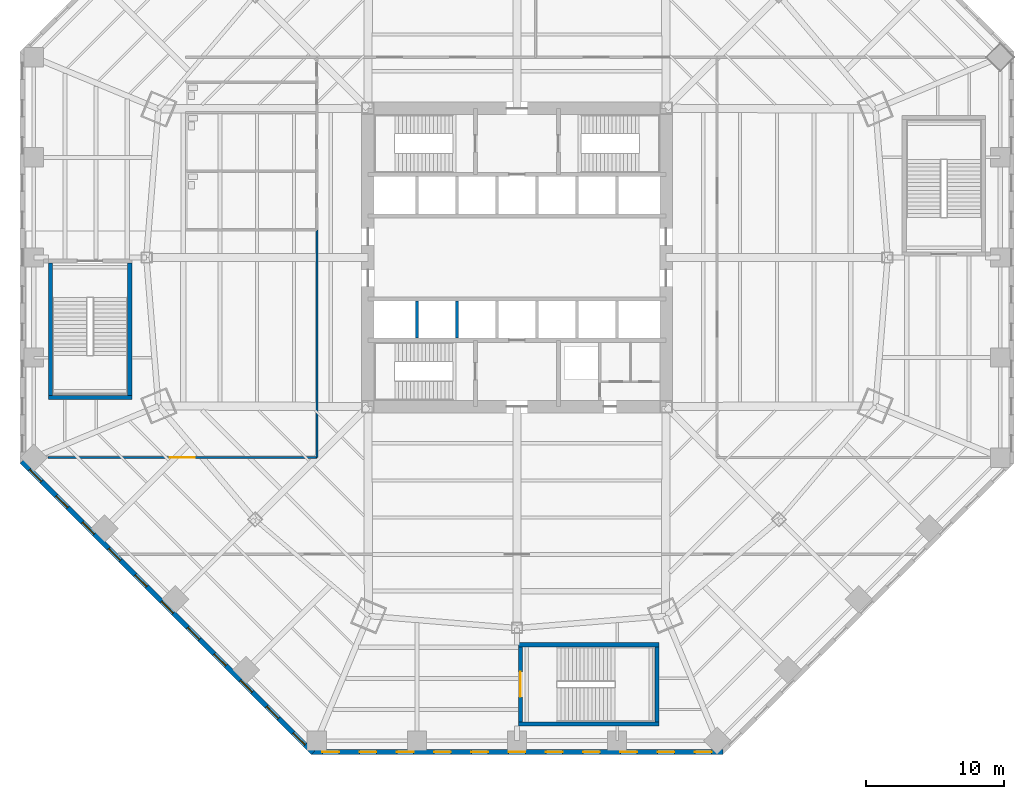
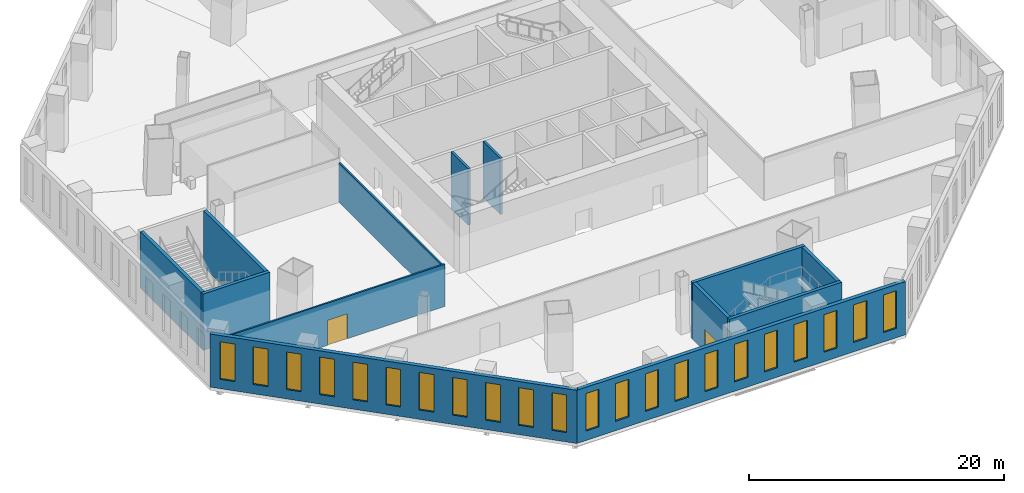
# One storey, part 8 of 18: 22 windows, 13 walls, 2 doors, 24 openings.
"""IFC4 building model written with IfcOpenShell, lengths in metres."""

from ifc_helpers import new_model, si_unit, direction, frame, frame_2d, origin, place, context, subcontext, project, spatial, rectangle, extrude, material, layer, layer_set, type_object, element, fill, save


model = new_model("IFC4")

# Units and contexts
model_context = context("Model", 3, precision=1e-05, world=origin(), true_north=direction((0.0, 1.0)))
body_context = subcontext(model_context, "Body", "Model", "MODEL_VIEW")
ifc_project = project(units=[si_unit("LENGTHUNIT", "METRE"), si_unit("AREAUNIT", "SQUARE_METRE"), si_unit("VOLUMEUNIT", "CUBIC_METRE"), si_unit("PLANEANGLEUNIT", "RADIAN"), si_unit("MASSUNIT", "GRAM", prefix="KILO")], contexts=[model_context])

# Site, building, storey
site_placement = place(None, origin())
site = spatial("IfcSite", under=ifc_project, at=site_placement, CompositionType="ELEMENT")
building_placement = place(site_placement, origin())
building = spatial("IfcBuilding", under=site, at=building_placement, Name="Mashrafa Tower", CompositionType="ELEMENT")
storey_placement = place(building_placement, frame((0.0, 0.0, 13.199951171875)))
storey = spatial("IfcBuildingStorey", under=building, at=storey_placement, Name="L02", CompositionType="ELEMENT", Elevation=13.199951171875)

# Wall, opening, door
ifc_material_1 = material(Name="Gypsum board on steel studs", Category="steel")
ifc_layer_1 = layer(ifc_material_1, 0.14990234375)
ifc_layer_set_1 = layer_set([ifc_layer_1], Name="Corridor partition 150 1 hr")
wall_type_1 = type_object("IfcWallType", Name="Corridor partition 150 1 hr", PredefinedType="PARTITIONING", material=ifc_layer_set_1)
wall_1_placement = place(storey_placement, frame((-33.985595703125, -14.5, 0.0), z_axis=(0.0, 0.0, 1.0), x_axis=(1.0, 0.0, 0.0)))
wall_1 = element("IfcWall", 1, at=wall_1_placement, inside=storey, type_object=wall_type_1, Name="Corridor wall L02-016", PredefinedType="PARTITIONING", context=body_context, shape_type="SweptSolid", body=[
    extrude(rectangle(XDim=19.485595703125, YDim=0.14990234375, at=frame_2d((9.74267578125, 0.0))), origin(), (0.0, 0.0, 1.0), 4.048583984375),
])
opening_1_placement = place(wall_1_placement, frame((8.843017578125, 0.0, 0.0)))
opening_1 = element("IfcOpeningElement", 2, at=opening_1_placement, cuts=wall_1, Name="Opening 02.011", PredefinedType="OPENING", context=body_context, shape_type="SweptSolid", body=[
    extrude(rectangle(XDim=1.800048828125, YDim=2.39990234375, at=frame_2d((0.89990234375, 1.199951171875))), frame((0.0, 0.0849609375, 0.0), z_axis=(0.0, -1.0, 0.0), x_axis=(1.0, 0.0, 0.0)), (0.0, 0.0, 1.0), 0.169921875),
])
ifc_material_2 = material(Name="Timber door", Category="wood")
door_type_1 = type_object("IfcDoorType", Name="Door pair 1800 x 2400", OperationType="DOUBLE_DOOR_SINGLE_SWING", PredefinedType="DOOR", material=ifc_material_2)
door_1_placement = place(opening_1_placement, origin())
door_1 = element("IfcDoor", 3, at=door_1_placement, inside=storey, type_object=door_type_1, Name="Conference Breakout Room L02 door", OperationType="DOUBLE_DOOR_SINGLE_SWING", OverallHeight=2.39990234375, OverallWidth=1.800048828125, PredefinedType="DOOR", context=body_context, shape_type="SweptSolid", body=[
    extrude(rectangle(XDim=1.800048828125, YDim=2.39990234375, at=frame_2d((0.89990234375, 1.199951171875))), frame((0.0, 0.02490234375, 0.0), z_axis=(0.0, -1.0, 0.0), x_axis=(1.0, 0.0, 0.0)), (0.0, 0.0, 1.0), 0.050048828125),
])
fill(opening_1, door_1)

# Wall
wall_2_placement = place(storey_placement, frame((-14.5, -14.5, 0.0), z_axis=(0.0, 0.0, 1.0), x_axis=(0.0, 1.0, 0.0)))
element("IfcWall", 4, at=wall_2_placement, inside=storey, type_object=wall_type_1, Name="Corridor wall L02-017", PredefinedType="PARTITIONING", context=body_context, shape_type="SweptSolid", body=[
    extrude(rectangle(XDim=16.5, YDim=0.14990234375, at=frame_2d((8.25, 0.0))), origin(), (0.0, 0.0, 1.0), 3.7900390625),
])

# Wall, openings, windows
ifc_material_3 = material(Name="Riyadh limestone cladding on blockwork", Category="masonry")
ifc_layer_2 = layer(ifc_material_3, 0.35009765625)
ifc_layer_set_2 = layer_set([ifc_layer_2], Name="Limestone-clad external wall 350")
wall_type_2 = type_object("IfcWallType", Name="Limestone-clad external wall 350", PredefinedType="SOLIDWALL", material=ifc_layer_set_2)
wall_3_placement = place(storey_placement, frame((-35.876220703125, -14.787841796875, 0.0), z_axis=(0.0, 0.0, 1.0), x_axis=(0.707106781187, -0.707106781187, 0.0)))
wall_3 = element("IfcWall", 5, at=wall_3_placement, inside=storey, type_object=wall_type_2, Name="Limestone-clad external wall L02 south-west", PredefinedType="SOLIDWALL", context=body_context, shape_type="SweptSolid", body=[
    extrude(rectangle(XDim=29.823486328125, YDim=0.35009765625, at=frame_2d((14.91162109375, 0.0))), origin(), (0.0, 0.0, 1.0), 5.10009765625),
])
opening_2_placement = place(wall_3_placement, frame((0.821533203125, 0.0, 0.89990234375)))
opening_2 = element("IfcOpeningElement", 6, at=opening_2_placement, cuts=wall_3, Name="Opening W2", PredefinedType="OPENING", context=body_context, shape_type="SweptSolid", body=[
    extrude(rectangle(XDim=1.199951171875, YDim=3.60009765625, at=frame_2d((0.60009765625, 1.800048828125))), frame((0.0, 0.18505859375, 0.0), z_axis=(0.0, -1.0, 0.0), x_axis=(1.0, 0.0, 0.0)), (0.0, 0.0, 1.0), 0.3701171875),
])
opening_3_placement = place(wall_3_placement, frame((3.51953125, 0.0, 0.89990234375)))
opening_3 = element("IfcOpeningElement", 7, at=opening_3_placement, cuts=wall_3, Name="Opening W2", PredefinedType="OPENING", context=body_context, shape_type="SweptSolid", body=[
    extrude(rectangle(XDim=1.199951171875, YDim=3.60009765625, at=frame_2d((0.60009765625, 1.800048828125))), frame((0.0, 0.18505859375, 0.0), z_axis=(0.0, -1.0, 0.0), x_axis=(1.0, 0.0, 0.0)), (0.0, 0.0, 1.0), 0.3701171875),
])
opening_4_placement = place(wall_3_placement, frame((6.217529296875, 0.0, 0.89990234375)))
opening_4 = element("IfcOpeningElement", 8, at=opening_4_placement, cuts=wall_3, Name="Opening W2", PredefinedType="OPENING", context=body_context, shape_type="SweptSolid", body=[
    extrude(rectangle(XDim=1.199951171875, YDim=3.60009765625, at=frame_2d((0.60009765625, 1.800048828125))), frame((0.0, 0.18505859375, 0.0), z_axis=(0.0, -1.0, 0.0), x_axis=(1.0, 0.0, 0.0)), (0.0, 0.0, 1.0), 0.3701171875),
])
opening_5_placement = place(wall_3_placement, frame((8.91552734375, 0.0, 0.89990234375)))
opening_5 = element("IfcOpeningElement", 9, at=opening_5_placement, cuts=wall_3, Name="Opening W2", PredefinedType="OPENING", context=body_context, shape_type="SweptSolid", body=[
    extrude(rectangle(XDim=1.199951171875, YDim=3.60009765625, at=frame_2d((0.60009765625, 1.800048828125))), frame((0.0, 0.18505859375, 0.0), z_axis=(0.0, -1.0, 0.0), x_axis=(1.0, 0.0, 0.0)), (0.0, 0.0, 1.0), 0.3701171875),
])
opening_6_placement = place(wall_3_placement, frame((11.61376953125, 0.0, 0.89990234375)))
opening_6 = element("IfcOpeningElement", 10, at=opening_6_placement, cuts=wall_3, Name="Opening W2", PredefinedType="OPENING", context=body_context, shape_type="SweptSolid", body=[
    extrude(rectangle(XDim=1.199951171875, YDim=3.60009765625, at=frame_2d((0.60009765625, 1.800048828125))), frame((0.0, 0.18505859375, 0.0), z_axis=(0.0, -1.0, 0.0), x_axis=(1.0, 0.0, 0.0)), (0.0, 0.0, 1.0), 0.3701171875),
])
opening_7_placement = place(wall_3_placement, frame((14.311767578125, 0.0, 0.89990234375)))
opening_7 = element("IfcOpeningElement", 11, at=opening_7_placement, cuts=wall_3, Name="Opening W2", PredefinedType="OPENING", context=body_context, shape_type="SweptSolid", body=[
    extrude(rectangle(XDim=1.199951171875, YDim=3.60009765625, at=frame_2d((0.60009765625, 1.800048828125))), frame((0.0, 0.18505859375, 0.0), z_axis=(0.0, -1.0, 0.0), x_axis=(1.0, 0.0, 0.0)), (0.0, 0.0, 1.0), 0.3701171875),
])
opening_8_placement = place(wall_3_placement, frame((17.009765625, 0.0, 0.89990234375)))
opening_8 = element("IfcOpeningElement", 12, at=opening_8_placement, cuts=wall_3, Name="Opening W2", PredefinedType="OPENING", context=body_context, shape_type="SweptSolid", body=[
    extrude(rectangle(XDim=1.199951171875, YDim=3.60009765625, at=frame_2d((0.60009765625, 1.800048828125))), frame((0.0, 0.18505859375, 0.0), z_axis=(0.0, -1.0, 0.0), x_axis=(1.0, 0.0, 0.0)), (0.0, 0.0, 1.0), 0.3701171875),
])
opening_9_placement = place(wall_3_placement, frame((19.707763671875, 0.0, 0.89990234375)))
opening_9 = element("IfcOpeningElement", 13, at=opening_9_placement, cuts=wall_3, Name="Opening W2", PredefinedType="OPENING", context=body_context, shape_type="SweptSolid", body=[
    extrude(rectangle(XDim=1.199951171875, YDim=3.60009765625, at=frame_2d((0.60009765625, 1.800048828125))), frame((0.0, 0.18505859375, 0.0), z_axis=(0.0, -1.0, 0.0), x_axis=(1.0, 0.0, 0.0)), (0.0, 0.0, 1.0), 0.3701171875),
])
opening_10_placement = place(wall_3_placement, frame((22.40576171875, 0.0, 0.89990234375)))
opening_10 = element("IfcOpeningElement", 14, at=opening_10_placement, cuts=wall_3, Name="Opening W2", PredefinedType="OPENING", context=body_context, shape_type="SweptSolid", body=[
    extrude(rectangle(XDim=1.199951171875, YDim=3.60009765625, at=frame_2d((0.60009765625, 1.800048828125))), frame((0.0, 0.18505859375, 0.0), z_axis=(0.0, -1.0, 0.0), x_axis=(1.0, 0.0, 0.0)), (0.0, 0.0, 1.0), 0.3701171875),
])
opening_11_placement = place(wall_3_placement, frame((25.103759765625, 0.0, 0.89990234375)))
opening_11 = element("IfcOpeningElement", 15, at=opening_11_placement, cuts=wall_3, Name="Opening W2", PredefinedType="OPENING", context=body_context, shape_type="SweptSolid", body=[
    extrude(rectangle(XDim=1.199951171875, YDim=3.60009765625, at=frame_2d((0.60009765625, 1.800048828125))), frame((0.0, 0.18505859375, 0.0), z_axis=(0.0, -1.0, 0.0), x_axis=(1.0, 0.0, 0.0)), (0.0, 0.0, 1.0), 0.3701171875),
])
opening_12_placement = place(wall_3_placement, frame((27.8017578125, 0.0, 0.89990234375)))
opening_12 = element("IfcOpeningElement", 16, at=opening_12_placement, cuts=wall_3, Name="Opening W2", PredefinedType="OPENING", context=body_context, shape_type="SweptSolid", body=[
    extrude(rectangle(XDim=1.199951171875, YDim=3.60009765625, at=frame_2d((0.60009765625, 1.800048828125))), frame((0.0, 0.18505859375, 0.0), z_axis=(0.0, -1.0, 0.0), x_axis=(1.0, 0.0, 0.0)), (0.0, 0.0, 1.0), 0.3701171875),
])
ifc_material_4 = material(Name="Bronze-framed insulated glazing", Category="glass")
window_type = type_object("IfcWindowType", Name="Tall punched window 1200 x 3600", PartitioningType="DOUBLE_PANEL_HORIZONTAL", PredefinedType="WINDOW", material=ifc_material_4)
window_1_placement = place(opening_2_placement, origin())
window_1 = element("IfcWindow", 17, at=window_1_placement, inside=storey, type_object=window_type, Name="Window W2 L02 south-west bay 1", OverallHeight=3.60009765625, OverallWidth=1.199951171875, PartitioningType="SINGLE_PANEL", PredefinedType="WINDOW", context=body_context, shape_type="SweptSolid", body=[
    extrude(rectangle(XDim=1.199951171875, YDim=3.60009765625, at=frame_2d((0.60009765625, 1.800048828125))), frame((0.0, 0.030029296875, 0.0), z_axis=(0.0, -1.0, 0.0), x_axis=(1.0, 0.0, 0.0)), (0.0, 0.0, 1.0), 0.06005859375),
])
fill(opening_2, window_1)
window_2_placement = place(opening_3_placement, origin())
window_2 = element("IfcWindow", 18, at=window_2_placement, inside=storey, type_object=window_type, Name="Window W2 L02 south-west bay 2", OverallHeight=3.60009765625, OverallWidth=1.199951171875, PartitioningType="SINGLE_PANEL", PredefinedType="WINDOW", context=body_context, shape_type="SweptSolid", body=[
    extrude(rectangle(XDim=1.199951171875, YDim=3.60009765625, at=frame_2d((0.60009765625, 1.800048828125))), frame((0.0, 0.030029296875, 0.0), z_axis=(0.0, -1.0, 0.0), x_axis=(1.0, 0.0, 0.0)), (0.0, 0.0, 1.0), 0.06005859375),
])
fill(opening_3, window_2)
window_3_placement = place(opening_4_placement, origin())
window_3 = element("IfcWindow", 19, at=window_3_placement, inside=storey, type_object=window_type, Name="Window W2 L02 south-west bay 3", OverallHeight=3.60009765625, OverallWidth=1.199951171875, PartitioningType="SINGLE_PANEL", PredefinedType="WINDOW", context=body_context, shape_type="SweptSolid", body=[
    extrude(rectangle(XDim=1.199951171875, YDim=3.60009765625, at=frame_2d((0.60009765625, 1.800048828125))), frame((0.0, 0.030029296875, 0.0), z_axis=(0.0, -1.0, 0.0), x_axis=(1.0, 0.0, 0.0)), (0.0, 0.0, 1.0), 0.06005859375),
])
fill(opening_4, window_3)
window_4_placement = place(opening_5_placement, origin())
window_4 = element("IfcWindow", 20, at=window_4_placement, inside=storey, type_object=window_type, Name="Window W2 L02 south-west bay 4", OverallHeight=3.60009765625, OverallWidth=1.199951171875, PartitioningType="SINGLE_PANEL", PredefinedType="WINDOW", context=body_context, shape_type="SweptSolid", body=[
    extrude(rectangle(XDim=1.199951171875, YDim=3.60009765625, at=frame_2d((0.60009765625, 1.800048828125))), frame((0.0, 0.030029296875, 0.0), z_axis=(0.0, -1.0, 0.0), x_axis=(1.0, 0.0, 0.0)), (0.0, 0.0, 1.0), 0.06005859375),
])
fill(opening_5, window_4)
window_5_placement = place(opening_6_placement, origin())
window_5 = element("IfcWindow", 21, at=window_5_placement, inside=storey, type_object=window_type, Name="Window W2 L02 south-west bay 5", OverallHeight=3.60009765625, OverallWidth=1.199951171875, PartitioningType="SINGLE_PANEL", PredefinedType="WINDOW", context=body_context, shape_type="SweptSolid", body=[
    extrude(rectangle(XDim=1.199951171875, YDim=3.60009765625, at=frame_2d((0.60009765625, 1.800048828125))), frame((0.0, 0.030029296875, 0.0), z_axis=(0.0, -1.0, 0.0), x_axis=(1.0, 0.0, 0.0)), (0.0, 0.0, 1.0), 0.06005859375),
])
fill(opening_6, window_5)
window_6_placement = place(opening_7_placement, origin())
window_6 = element("IfcWindow", 22, at=window_6_placement, inside=storey, type_object=window_type, Name="Window W2 L02 south-west bay 6", OverallHeight=3.60009765625, OverallWidth=1.199951171875, PartitioningType="SINGLE_PANEL", PredefinedType="WINDOW", context=body_context, shape_type="SweptSolid", body=[
    extrude(rectangle(XDim=1.199951171875, YDim=3.60009765625, at=frame_2d((0.60009765625, 1.800048828125))), frame((0.0, 0.030029296875, 0.0), z_axis=(0.0, -1.0, 0.0), x_axis=(1.0, 0.0, 0.0)), (0.0, 0.0, 1.0), 0.06005859375),
])
fill(opening_7, window_6)
window_7_placement = place(opening_8_placement, origin())
window_7 = element("IfcWindow", 23, at=window_7_placement, inside=storey, type_object=window_type, Name="Window W2 L02 south-west bay 7", OverallHeight=3.60009765625, OverallWidth=1.199951171875, PartitioningType="SINGLE_PANEL", PredefinedType="WINDOW", context=body_context, shape_type="SweptSolid", body=[
    extrude(rectangle(XDim=1.199951171875, YDim=3.60009765625, at=frame_2d((0.60009765625, 1.800048828125))), frame((0.0, 0.030029296875, 0.0), z_axis=(0.0, -1.0, 0.0), x_axis=(1.0, 0.0, 0.0)), (0.0, 0.0, 1.0), 0.06005859375),
])
fill(opening_8, window_7)
window_8_placement = place(opening_9_placement, origin())
window_8 = element("IfcWindow", 24, at=window_8_placement, inside=storey, type_object=window_type, Name="Window W2 L02 south-west bay 8", OverallHeight=3.60009765625, OverallWidth=1.199951171875, PartitioningType="SINGLE_PANEL", PredefinedType="WINDOW", context=body_context, shape_type="SweptSolid", body=[
    extrude(rectangle(XDim=1.199951171875, YDim=3.60009765625, at=frame_2d((0.60009765625, 1.800048828125))), frame((0.0, 0.030029296875, 0.0), z_axis=(0.0, -1.0, 0.0), x_axis=(1.0, 0.0, 0.0)), (0.0, 0.0, 1.0), 0.06005859375),
])
fill(opening_9, window_8)
window_9_placement = place(opening_10_placement, origin())
window_9 = element("IfcWindow", 25, at=window_9_placement, inside=storey, type_object=window_type, Name="Window W2 L02 south-west bay 9", OverallHeight=3.60009765625, OverallWidth=1.199951171875, PartitioningType="SINGLE_PANEL", PredefinedType="WINDOW", context=body_context, shape_type="SweptSolid", body=[
    extrude(rectangle(XDim=1.199951171875, YDim=3.60009765625, at=frame_2d((0.60009765625, 1.800048828125))), frame((0.0, 0.030029296875, 0.0), z_axis=(0.0, -1.0, 0.0), x_axis=(1.0, 0.0, 0.0)), (0.0, 0.0, 1.0), 0.06005859375),
])
fill(opening_10, window_9)
window_10_placement = place(opening_11_placement, origin())
window_10 = element("IfcWindow", 26, at=window_10_placement, inside=storey, type_object=window_type, Name="Window W2 L02 south-west bay 10", OverallHeight=3.60009765625, OverallWidth=1.199951171875, PartitioningType="SINGLE_PANEL", PredefinedType="WINDOW", context=body_context, shape_type="SweptSolid", body=[
    extrude(rectangle(XDim=1.199951171875, YDim=3.60009765625, at=frame_2d((0.60009765625, 1.800048828125))), frame((0.0, 0.030029296875, 0.0), z_axis=(0.0, -1.0, 0.0), x_axis=(1.0, 0.0, 0.0)), (0.0, 0.0, 1.0), 0.06005859375),
])
fill(opening_11, window_10)
window_11_placement = place(opening_12_placement, origin())
window_11 = element("IfcWindow", 27, at=window_11_placement, inside=storey, type_object=window_type, Name="Window W2 L02 south-west bay 11", OverallHeight=3.60009765625, OverallWidth=1.199951171875, PartitioningType="SINGLE_PANEL", PredefinedType="WINDOW", context=body_context, shape_type="SweptSolid", body=[
    extrude(rectangle(XDim=1.199951171875, YDim=3.60009765625, at=frame_2d((0.60009765625, 1.800048828125))), frame((0.0, 0.030029296875, 0.0), z_axis=(0.0, -1.0, 0.0), x_axis=(1.0, 0.0, 0.0)), (0.0, 0.0, 1.0), 0.06005859375),
])
fill(opening_12, window_11)

wall_4_placement = place(storey_placement, frame((-14.91162109375, -35.824951171875, 0.0), z_axis=(0.0, 0.0, 1.0), x_axis=(1.0, 0.0, 0.0)))
wall_4 = element("IfcWall", 28, at=wall_4_placement, inside=storey, type_object=wall_type_2, Name="Limestone-clad external wall L02 south", PredefinedType="SOLIDWALL", context=body_context, shape_type="SweptSolid", body=[
    extrude(rectangle(XDim=29.8232421875, YDim=0.35009765625, at=frame_2d((14.91162109375, 0.0))), origin(), (0.0, 0.0, 1.0), 5.10009765625),
])
opening_13_placement = place(wall_4_placement, frame((0.821533203125, 0.0, 0.89990234375)))
opening_13 = element("IfcOpeningElement", 29, at=opening_13_placement, cuts=wall_4, Name="Opening W2", PredefinedType="OPENING", context=body_context, shape_type="SweptSolid", body=[
    extrude(rectangle(XDim=1.199951171875, YDim=3.60009765625, at=frame_2d((0.60009765625, 1.800048828125))), frame((0.0, 0.18505859375, 0.0), z_axis=(0.0, -1.0, 0.0), x_axis=(1.0, 0.0, 0.0)), (0.0, 0.0, 1.0), 0.3701171875),
])
opening_14_placement = place(wall_4_placement, frame((3.51953125, 0.0, 0.89990234375)))
opening_14 = element("IfcOpeningElement", 30, at=opening_14_placement, cuts=wall_4, Name="Opening W2", PredefinedType="OPENING", context=body_context, shape_type="SweptSolid", body=[
    extrude(rectangle(XDim=1.199951171875, YDim=3.60009765625, at=frame_2d((0.60009765625, 1.800048828125))), frame((0.0, 0.18505859375, 0.0), z_axis=(0.0, -1.0, 0.0), x_axis=(1.0, 0.0, 0.0)), (0.0, 0.0, 1.0), 0.3701171875),
])
opening_15_placement = place(wall_4_placement, frame((6.217529296875, 0.0, 0.89990234375)))
opening_15 = element("IfcOpeningElement", 31, at=opening_15_placement, cuts=wall_4, Name="Opening W2", PredefinedType="OPENING", context=body_context, shape_type="SweptSolid", body=[
    extrude(rectangle(XDim=1.199951171875, YDim=3.60009765625, at=frame_2d((0.60009765625, 1.800048828125))), frame((0.0, 0.18505859375, 0.0), z_axis=(0.0, -1.0, 0.0), x_axis=(1.0, 0.0, 0.0)), (0.0, 0.0, 1.0), 0.3701171875),
])
opening_16_placement = place(wall_4_placement, frame((8.91552734375, 0.0, 0.89990234375)))
opening_16 = element("IfcOpeningElement", 32, at=opening_16_placement, cuts=wall_4, Name="Opening W2", PredefinedType="OPENING", context=body_context, shape_type="SweptSolid", body=[
    extrude(rectangle(XDim=1.199951171875, YDim=3.60009765625, at=frame_2d((0.60009765625, 1.800048828125))), frame((0.0, 0.18505859375, 0.0), z_axis=(0.0, -1.0, 0.0), x_axis=(1.0, 0.0, 0.0)), (0.0, 0.0, 1.0), 0.3701171875),
])
opening_17_placement = place(wall_4_placement, frame((11.61376953125, 0.0, 0.89990234375)))
opening_17 = element("IfcOpeningElement", 33, at=opening_17_placement, cuts=wall_4, Name="Opening W2", PredefinedType="OPENING", context=body_context, shape_type="SweptSolid", body=[
    extrude(rectangle(XDim=1.199951171875, YDim=3.60009765625, at=frame_2d((0.60009765625, 1.800048828125))), frame((0.0, 0.18505859375, 0.0), z_axis=(0.0, -1.0, 0.0), x_axis=(1.0, 0.0, 0.0)), (0.0, 0.0, 1.0), 0.3701171875),
])
opening_18_placement = place(wall_4_placement, frame((14.311767578125, 0.0, 0.89990234375)))
opening_18 = element("IfcOpeningElement", 34, at=opening_18_placement, cuts=wall_4, Name="Opening W2", PredefinedType="OPENING", context=body_context, shape_type="SweptSolid", body=[
    extrude(rectangle(XDim=1.199951171875, YDim=3.60009765625, at=frame_2d((0.60009765625, 1.800048828125))), frame((0.0, 0.18505859375, 0.0), z_axis=(0.0, -1.0, 0.0), x_axis=(1.0, 0.0, 0.0)), (0.0, 0.0, 1.0), 0.3701171875),
])
opening_19_placement = place(wall_4_placement, frame((17.009765625, 0.0, 0.89990234375)))
opening_19 = element("IfcOpeningElement", 35, at=opening_19_placement, cuts=wall_4, Name="Opening W2", PredefinedType="OPENING", context=body_context, shape_type="SweptSolid", body=[
    extrude(rectangle(XDim=1.199951171875, YDim=3.60009765625, at=frame_2d((0.60009765625, 1.800048828125))), frame((0.0, 0.18505859375, 0.0), z_axis=(0.0, -1.0, 0.0), x_axis=(1.0, 0.0, 0.0)), (0.0, 0.0, 1.0), 0.3701171875),
])
opening_20_placement = place(wall_4_placement, frame((19.707763671875, 0.0, 0.89990234375)))
opening_20 = element("IfcOpeningElement", 36, at=opening_20_placement, cuts=wall_4, Name="Opening W2", PredefinedType="OPENING", context=body_context, shape_type="SweptSolid", body=[
    extrude(rectangle(XDim=1.199951171875, YDim=3.60009765625, at=frame_2d((0.60009765625, 1.800048828125))), frame((0.0, 0.18505859375, 0.0), z_axis=(0.0, -1.0, 0.0), x_axis=(1.0, 0.0, 0.0)), (0.0, 0.0, 1.0), 0.3701171875),
])
opening_21_placement = place(wall_4_placement, frame((22.40576171875, 0.0, 0.89990234375)))
opening_21 = element("IfcOpeningElement", 37, at=opening_21_placement, cuts=wall_4, Name="Opening W2", PredefinedType="OPENING", context=body_context, shape_type="SweptSolid", body=[
    extrude(rectangle(XDim=1.199951171875, YDim=3.60009765625, at=frame_2d((0.60009765625, 1.800048828125))), frame((0.0, 0.18505859375, 0.0), z_axis=(0.0, -1.0, 0.0), x_axis=(1.0, 0.0, 0.0)), (0.0, 0.0, 1.0), 0.3701171875),
])
opening_22_placement = place(wall_4_placement, frame((25.103759765625, 0.0, 0.89990234375)))
opening_22 = element("IfcOpeningElement", 38, at=opening_22_placement, cuts=wall_4, Name="Opening W2", PredefinedType="OPENING", context=body_context, shape_type="SweptSolid", body=[
    extrude(rectangle(XDim=1.199951171875, YDim=3.60009765625, at=frame_2d((0.60009765625, 1.800048828125))), frame((0.0, 0.18505859375, 0.0), z_axis=(0.0, -1.0, 0.0), x_axis=(1.0, 0.0, 0.0)), (0.0, 0.0, 1.0), 0.3701171875),
])
opening_23_placement = place(wall_4_placement, frame((27.8017578125, 0.0, 0.89990234375)))
opening_23 = element("IfcOpeningElement", 39, at=opening_23_placement, cuts=wall_4, Name="Opening W2", PredefinedType="OPENING", context=body_context, shape_type="SweptSolid", body=[
    extrude(rectangle(XDim=1.199951171875, YDim=3.60009765625, at=frame_2d((0.60009765625, 1.800048828125))), frame((0.0, 0.18505859375, 0.0), z_axis=(0.0, -1.0, 0.0), x_axis=(1.0, 0.0, 0.0)), (0.0, 0.0, 1.0), 0.3701171875),
])
window_12_placement = place(opening_13_placement, origin())
window_12 = element("IfcWindow", 40, at=window_12_placement, inside=storey, type_object=window_type, Name="Window W2 L02 south bay 1", OverallHeight=3.60009765625, OverallWidth=1.199951171875, PartitioningType="SINGLE_PANEL", PredefinedType="WINDOW", context=body_context, shape_type="SweptSolid", body=[
    extrude(rectangle(XDim=1.199951171875, YDim=3.60009765625, at=frame_2d((0.60009765625, 1.800048828125))), frame((0.0, 0.030029296875, 0.0), z_axis=(0.0, -1.0, 0.0), x_axis=(1.0, 0.0, 0.0)), (0.0, 0.0, 1.0), 0.06005859375),
])
fill(opening_13, window_12)
window_13_placement = place(opening_14_placement, origin())
window_13 = element("IfcWindow", 41, at=window_13_placement, inside=storey, type_object=window_type, Name="Window W2 L02 south bay 2", OverallHeight=3.60009765625, OverallWidth=1.199951171875, PartitioningType="SINGLE_PANEL", PredefinedType="WINDOW", context=body_context, shape_type="SweptSolid", body=[
    extrude(rectangle(XDim=1.199951171875, YDim=3.60009765625, at=frame_2d((0.60009765625, 1.800048828125))), frame((0.0, 0.030029296875, 0.0), z_axis=(0.0, -1.0, 0.0), x_axis=(1.0, 0.0, 0.0)), (0.0, 0.0, 1.0), 0.06005859375),
])
fill(opening_14, window_13)
window_14_placement = place(opening_15_placement, origin())
window_14 = element("IfcWindow", 42, at=window_14_placement, inside=storey, type_object=window_type, Name="Window W2 L02 south bay 3", OverallHeight=3.60009765625, OverallWidth=1.199951171875, PartitioningType="SINGLE_PANEL", PredefinedType="WINDOW", context=body_context, shape_type="SweptSolid", body=[
    extrude(rectangle(XDim=1.199951171875, YDim=3.60009765625, at=frame_2d((0.60009765625, 1.800048828125))), frame((0.0, 0.030029296875, 0.0), z_axis=(0.0, -1.0, 0.0), x_axis=(1.0, 0.0, 0.0)), (0.0, 0.0, 1.0), 0.06005859375),
])
fill(opening_15, window_14)
window_15_placement = place(opening_16_placement, origin())
window_15 = element("IfcWindow", 43, at=window_15_placement, inside=storey, type_object=window_type, Name="Window W2 L02 south bay 4", OverallHeight=3.60009765625, OverallWidth=1.199951171875, PartitioningType="SINGLE_PANEL", PredefinedType="WINDOW", context=body_context, shape_type="SweptSolid", body=[
    extrude(rectangle(XDim=1.199951171875, YDim=3.60009765625, at=frame_2d((0.60009765625, 1.800048828125))), frame((0.0, 0.030029296875, 0.0), z_axis=(0.0, -1.0, 0.0), x_axis=(1.0, 0.0, 0.0)), (0.0, 0.0, 1.0), 0.06005859375),
])
fill(opening_16, window_15)
window_16_placement = place(opening_17_placement, origin())
window_16 = element("IfcWindow", 44, at=window_16_placement, inside=storey, type_object=window_type, Name="Window W2 L02 south bay 5", OverallHeight=3.60009765625, OverallWidth=1.199951171875, PartitioningType="SINGLE_PANEL", PredefinedType="WINDOW", context=body_context, shape_type="SweptSolid", body=[
    extrude(rectangle(XDim=1.199951171875, YDim=3.60009765625, at=frame_2d((0.60009765625, 1.800048828125))), frame((0.0, 0.030029296875, 0.0), z_axis=(0.0, -1.0, 0.0), x_axis=(1.0, 0.0, 0.0)), (0.0, 0.0, 1.0), 0.06005859375),
])
fill(opening_17, window_16)
window_17_placement = place(opening_18_placement, origin())
window_17 = element("IfcWindow", 45, at=window_17_placement, inside=storey, type_object=window_type, Name="Window W2 L02 south bay 6", OverallHeight=3.60009765625, OverallWidth=1.199951171875, PartitioningType="SINGLE_PANEL", PredefinedType="WINDOW", context=body_context, shape_type="SweptSolid", body=[
    extrude(rectangle(XDim=1.199951171875, YDim=3.60009765625, at=frame_2d((0.60009765625, 1.800048828125))), frame((0.0, 0.030029296875, 0.0), z_axis=(0.0, -1.0, 0.0), x_axis=(1.0, 0.0, 0.0)), (0.0, 0.0, 1.0), 0.06005859375),
])
fill(opening_18, window_17)
window_18_placement = place(opening_19_placement, origin())
window_18 = element("IfcWindow", 46, at=window_18_placement, inside=storey, type_object=window_type, Name="Window W2 L02 south bay 7", OverallHeight=3.60009765625, OverallWidth=1.199951171875, PartitioningType="SINGLE_PANEL", PredefinedType="WINDOW", context=body_context, shape_type="SweptSolid", body=[
    extrude(rectangle(XDim=1.199951171875, YDim=3.60009765625, at=frame_2d((0.60009765625, 1.800048828125))), frame((0.0, 0.030029296875, 0.0), z_axis=(0.0, -1.0, 0.0), x_axis=(1.0, 0.0, 0.0)), (0.0, 0.0, 1.0), 0.06005859375),
])
fill(opening_19, window_18)
window_19_placement = place(opening_20_placement, origin())
window_19 = element("IfcWindow", 47, at=window_19_placement, inside=storey, type_object=window_type, Name="Window W2 L02 south bay 8", OverallHeight=3.60009765625, OverallWidth=1.199951171875, PartitioningType="SINGLE_PANEL", PredefinedType="WINDOW", context=body_context, shape_type="SweptSolid", body=[
    extrude(rectangle(XDim=1.199951171875, YDim=3.60009765625, at=frame_2d((0.60009765625, 1.800048828125))), frame((0.0, 0.030029296875, 0.0), z_axis=(0.0, -1.0, 0.0), x_axis=(1.0, 0.0, 0.0)), (0.0, 0.0, 1.0), 0.06005859375),
])
fill(opening_20, window_19)
window_20_placement = place(opening_21_placement, origin())
window_20 = element("IfcWindow", 48, at=window_20_placement, inside=storey, type_object=window_type, Name="Window W2 L02 south bay 9", OverallHeight=3.60009765625, OverallWidth=1.199951171875, PartitioningType="SINGLE_PANEL", PredefinedType="WINDOW", context=body_context, shape_type="SweptSolid", body=[
    extrude(rectangle(XDim=1.199951171875, YDim=3.60009765625, at=frame_2d((0.60009765625, 1.800048828125))), frame((0.0, 0.030029296875, 0.0), z_axis=(0.0, -1.0, 0.0), x_axis=(1.0, 0.0, 0.0)), (0.0, 0.0, 1.0), 0.06005859375),
])
fill(opening_21, window_20)
window_21_placement = place(opening_22_placement, origin())
window_21 = element("IfcWindow", 49, at=window_21_placement, inside=storey, type_object=window_type, Name="Window W2 L02 south bay 10", OverallHeight=3.60009765625, OverallWidth=1.199951171875, PartitioningType="SINGLE_PANEL", PredefinedType="WINDOW", context=body_context, shape_type="SweptSolid", body=[
    extrude(rectangle(XDim=1.199951171875, YDim=3.60009765625, at=frame_2d((0.60009765625, 1.800048828125))), frame((0.0, 0.030029296875, 0.0), z_axis=(0.0, -1.0, 0.0), x_axis=(1.0, 0.0, 0.0)), (0.0, 0.0, 1.0), 0.06005859375),
])
fill(opening_22, window_21)
window_22_placement = place(opening_23_placement, origin())
window_22 = element("IfcWindow", 50, at=window_22_placement, inside=storey, type_object=window_type, Name="Window W2 L02 south bay 11", OverallHeight=3.60009765625, OverallWidth=1.199951171875, PartitioningType="SINGLE_PANEL", PredefinedType="WINDOW", context=body_context, shape_type="SweptSolid", body=[
    extrude(rectangle(XDim=1.199951171875, YDim=3.60009765625, at=frame_2d((0.60009765625, 1.800048828125))), frame((0.0, 0.030029296875, 0.0), z_axis=(0.0, -1.0, 0.0), x_axis=(1.0, 0.0, 0.0)), (0.0, 0.0, 1.0), 0.06005859375),
])
fill(opening_23, window_22)

# Walls
ifc_material_5 = material(Name="Gypsum shaft wall on steel studs", Category="steel")
ifc_layer_3 = layer(ifc_material_5, 0.199951171875)
ifc_layer_set_3 = layer_set([ifc_layer_3], Name="Shaft divider wall 200 2 hr")
wall_type_3 = type_object("IfcWallType", Name="Shaft divider wall 200 2 hr", PredefinedType="PARTITIONING", material=ifc_layer_set_3)
for number, where, z_axis, x_axis, name in (
    (51, (-7.25, -5.85009765625, 0.0), (0.0, 0.0, 1.0), (0.0, 1.0, 0.0), "Shaft divider wall S1 L02"),
    (52, (-4.35009765625, -5.85009765625, 0.0), (0.0, 0.0, 1.0), (0.0, 1.0, 0.0), "Shaft divider wall S2 L02"),
):
    element("IfcWall", number, at=place(storey_placement, frame(where, z_axis=z_axis, x_axis=x_axis)), inside=storey, type_object=wall_type_3, Name=name, PredefinedType="PARTITIONING", context=body_context, shape_type="SweptSolid", body=[
        extrude(rectangle(XDim=2.7001953125, YDim=0.199951171875, at=frame_2d((1.35009765625, 0.0))), origin(), (0.0, 0.0, 1.0), 5.400146484375),
    ])
ifc_material_6 = material(Name="Concrete C35/45", Category="concrete")
ifc_layer_4 = layer(ifc_material_6, 0.300048828125)
ifc_layer_set_4 = layer_set([ifc_layer_4], Name="Stair core wall 300 3 hr")
wall_type_4 = type_object("IfcWallType", Name="Stair core wall 300 3 hr", PredefinedType="SOLIDWALL", material=ifc_layer_set_4)
wall_5_placement = place(storey_placement, frame((-33.949951171875, -10.14990234375, 0.0), z_axis=(0.0, 0.0, 1.0), x_axis=(1.0, 0.0, 0.0)))
element("IfcWall", 53, at=wall_5_placement, inside=storey, type_object=wall_type_4, Name="Stair P3 core wall S L02", PredefinedType="SOLIDWALL", context=body_context, shape_type="SweptSolid", body=[
    extrude(rectangle(XDim=6.050048828125, YDim=0.300048828125, at=frame_2d((3.02490234375, 0.0))), origin(), (0.0, 0.0, 1.0), 5.400146484375),
])
for number, where, z_axis, x_axis, name in (
    (54, (-33.800048828125, -0.39990234375, 0.0), (0.0, 0.0, 1.0), (0.0, -1.0, 0.0), "Stair P3 core wall W L02"),
    (55, (-28.050048828125, -10.0, 0.0), (0.0, 0.0, 1.0), (0.0, 1.0, 0.0), "Stair P3 core wall E L02"),
):
    element("IfcWall", number, at=place(storey_placement, frame(where, z_axis=z_axis, x_axis=x_axis)), inside=storey, type_object=wall_type_4, Name=name, PredefinedType="SOLIDWALL", context=body_context, shape_type="SweptSolid", body=[
        extrude(rectangle(XDim=9.60009765625, YDim=0.300048828125, at=frame_2d((4.800048828125, 0.0))), origin(), (0.0, 0.0, 1.0), 5.400146484375),
    ])
for number, where, z_axis, x_axis, name in (
    (56, (0.10009765625, -33.800048828125, 0.0), (0.0, 0.0, 1.0), (1.0, 0.0, 0.0), "Stair P4 core wall S L02"),
    (57, (10.300048828125, -28.050048828125, 0.0), (0.0, 0.0, 1.0), (-1.0, 0.0, 0.0), "Stair P4 core wall N L02"),
):
    element("IfcWall", number, at=place(storey_placement, frame(where, z_axis=z_axis, x_axis=x_axis)), inside=storey, type_object=wall_type_4, Name=name, PredefinedType="SOLIDWALL", context=body_context, shape_type="SweptSolid", body=[
        extrude(rectangle(XDim=10.199951171875, YDim=0.300048828125, at=frame_2d((5.10009765625, 0.0))), origin(), (0.0, 0.0, 1.0), 5.400146484375),
    ])

# Wall, opening, door
wall_6_placement = place(storey_placement, frame((0.25, -28.199951171875, 0.0), z_axis=(0.0, 0.0, 1.0), x_axis=(0.0, -1.0, 0.0)))
wall_6 = element("IfcWall", 58, at=wall_6_placement, inside=storey, type_object=wall_type_4, Name="Stair P4 core wall W L02", PredefinedType="SOLIDWALL", context=body_context, shape_type="SweptSolid", body=[
    extrude(rectangle(XDim=5.449951171875, YDim=0.300048828125, at=frame_2d((2.72509765625, 0.0))), origin(), (0.0, 0.0, 1.0), 5.400146484375),
])
opening_24_placement = place(wall_6_placement, frame((1.824951171875, 0.0, 0.0)))
opening_24 = element("IfcOpeningElement", 59, at=opening_24_placement, cuts=wall_6, Name="Opening 02.031", PredefinedType="OPENING", context=body_context, shape_type="SweptSolid", body=[
    extrude(rectangle(XDim=1.800048828125, YDim=2.10009765625, at=frame_2d((0.89990234375, 1.050048828125))), frame((0.0, 0.159912109375, 0.0), z_axis=(0.0, -1.0, 0.0), x_axis=(1.0, 0.0, 0.0)), (0.0, 0.0, 1.0), 0.320068359375),
])
ifc_material_7 = material(Name="Steel door", Category="steel")
door_type_2 = type_object("IfcDoorType", Name="Stair door pair 1800 x 2100 90 min", OperationType="DOUBLE_DOOR_SINGLE_SWING", PredefinedType="DOOR", material=ifc_material_7)
door_2_placement = place(opening_24_placement, origin())
door_2 = element("IfcDoor", 60, at=door_2_placement, inside=storey, type_object=door_type_2, Name="Stair P4 door L02", OperationType="DOUBLE_DOOR_SINGLE_SWING", OverallHeight=2.10009765625, OverallWidth=1.800048828125, PredefinedType="DOOR", context=body_context, shape_type="SweptSolid", body=[
    extrude(rectangle(XDim=1.800048828125, YDim=2.10009765625, at=frame_2d((0.89990234375, 1.050048828125))), frame((0.0, 0.02490234375, 0.0), z_axis=(0.0, -1.0, 0.0), x_axis=(1.0, 0.0, 0.0)), (0.0, 0.0, 1.0), 0.050048828125),
])
fill(opening_24, door_2)

# Wall
wall_7_placement = place(storey_placement, frame((10.14990234375, -33.64990234375, 0.0), z_axis=(0.0, 0.0, 1.0), x_axis=(0.0, 1.0, 0.0)))
element("IfcWall", 61, at=wall_7_placement, inside=storey, type_object=wall_type_4, Name="Stair P4 core wall E L02", PredefinedType="SOLIDWALL", context=body_context, shape_type="SweptSolid", body=[
    extrude(rectangle(XDim=5.449951171875, YDim=0.300048828125, at=frame_2d((2.72509765625, 0.0))), origin(), (0.0, 0.0, 1.0), 5.400146484375),
])

save(model, "model.ifc")
